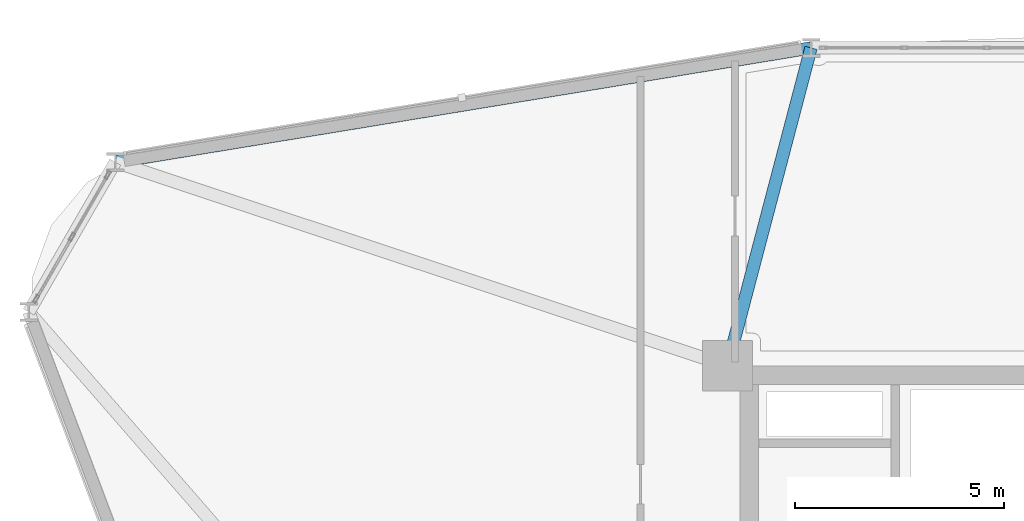
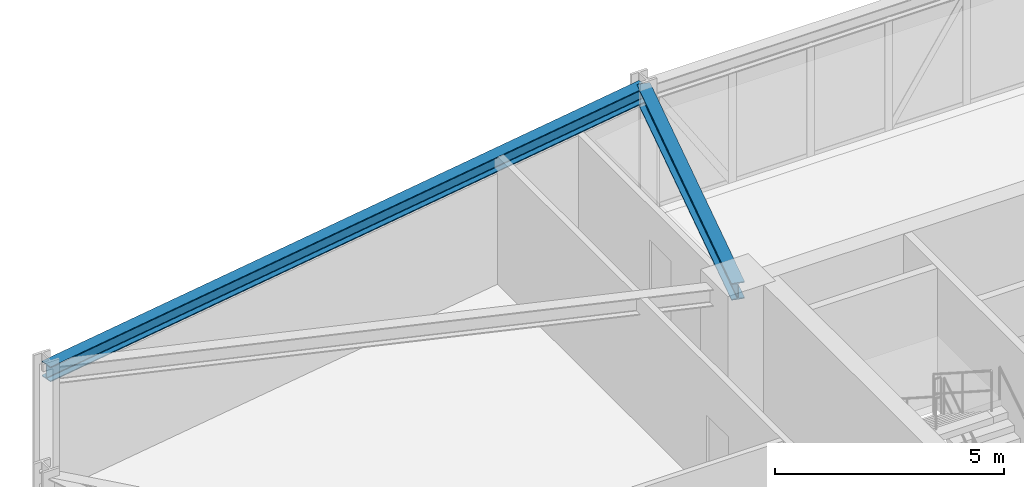
# One storey, part 10 of 23: 2 beams.
"""IFC4 building model written with IfcOpenShell, lengths in metres."""

from ifc_helpers import new_model, si_unit, derived_unit, direction, frame, origin, origin_2d, place, context, subcontext, project, spatial, i_section, extrude, source, transform, mapped, material, material_profile, profile_set, type_object, element, save


model = new_model("IFC4")

# Units and contexts
model_context = context("Model", 3, precision=1e-05, world=origin(), true_north=direction((0.0, 1.0)))
body_context = subcontext(model_context, "Body", "Model", "MODEL_VIEW")
ifc_project = project(units=[si_unit("LENGTHUNIT", "METRE"), si_unit("AREAUNIT", "SQUARE_METRE"), si_unit("VOLUMEUNIT", "CUBIC_METRE"), si_unit("PLANEANGLEUNIT", "RADIAN"), si_unit("MASSUNIT", "GRAM", prefix="KILO"), derived_unit("THERMALTRANSMITTANCEUNIT", [(si_unit("POWERUNIT", "WATT"), 1), (si_unit("LENGTHUNIT", "METRE"), -2), (si_unit("THERMODYNAMICTEMPERATUREUNIT", "KELVIN"), -1)])], contexts=[model_context])

# Site, building, storey
site_placement = place(None, origin())
site = spatial("IfcSite", under=ifc_project, at=site_placement, CompositionType="ELEMENT")
building_placement = place(site_placement, origin())
building = spatial("IfcBuilding", under=site, at=building_placement, Name="Korsvarv Bourse and Concert Hall", CompositionType="ELEMENT")
storey_placement = place(building_placement, frame((0.0, 0.0, 99.0)))
storey = spatial("IfcBuildingStorey", under=building, at=storey_placement, Name="L24", CompositionType="ELEMENT", Elevation=99.0)

# Beams
ifc_material = material(Name="Steel S355", Category="steel")
ifc_material_profile_1 = material_profile(ifc_material, i_section(OverallWidth=0.300048828125, OverallDepth=0.39990234375, WebThickness=0.013427734375, FlangeThickness=0.02392578125, FilletRadius=0.02099609375, at=origin_2d()), Name="HEB 400")
ifc_profile_set_1 = profile_set([ifc_material_profile_1], Name="Steel S355")
beam_type_1 = type_object("IfcBeamType", Name="BM-HEB400", PredefinedType="SPANDREL", material=ifc_profile_set_1)
shared_shape_1 = source(origin(), body_context, "Body", "SweptSolid", [
    extrude(i_section(OverallWidth=0.300048828125, OverallDepth=0.39990234375, WebThickness=0.013427734375, FlangeThickness=0.02392578125, FilletRadius=0.02099609375, at=origin_2d()), origin(), (0.0, 0.0, 1.0), 16.856201171875),
])
beam_1_placement = place(storey_placement, frame((28.8505859375, 54.8515625, 3.199951171875), z_axis=(-0.986776405202, -0.162087402768, 0.0), x_axis=(0.162087402768, -0.986776405202, 0.0)))
element("IfcBeam", 1, at=beam_1_placement, inside=storey, type_object=beam_type_1, Name="L24 beam B-09", PredefinedType="SPANDREL", context=body_context, shape_type="MappedRepresentation", body=[
    mapped(shared_shape_1, transform((0.0, 0.0, 0.0), scale=1.0)),
])
ifc_material_profile_2 = material_profile(ifc_material, i_section(OverallWidth=0.300048828125, OverallDepth=0.449951171875, WebThickness=0.013916015625, FlangeThickness=0.02587890625, FilletRadius=0.02099609375, at=origin_2d()), Name="HEB 450")
ifc_profile_set_2 = profile_set([ifc_material_profile_2], Name="Steel S355")
beam_type_2 = type_object("IfcBeamType", Name="BM-HEB450", PredefinedType="SPANDREL", material=ifc_profile_set_2)
shared_shape_2 = source(origin(), body_context, "Body", "SweptSolid", [
    extrude(i_section(OverallWidth=0.300048828125, OverallDepth=0.449951171875, WebThickness=0.013916015625, FlangeThickness=0.02587890625, FilletRadius=0.02099609375, at=origin_2d()), origin(), (0.0, 0.0, 1.0), 7.8603515625),
])
beam_2_placement = place(storey_placement, frame((28.8505859375, 54.8515625, 3.175048828125), z_axis=(-0.254502472315, -0.96707212326, 0.0), x_axis=(0.96707212326, -0.254502472315, 0.0)))
element("IfcBeam", 2, at=beam_2_placement, inside=storey, type_object=beam_type_2, Name="L24 beam B-08", PredefinedType="SPANDREL", context=body_context, shape_type="MappedRepresentation", body=[
    mapped(shared_shape_2, transform((0.0, 0.0, 0.0), scale=1.0)),
])

save(model, "model.ifc")
